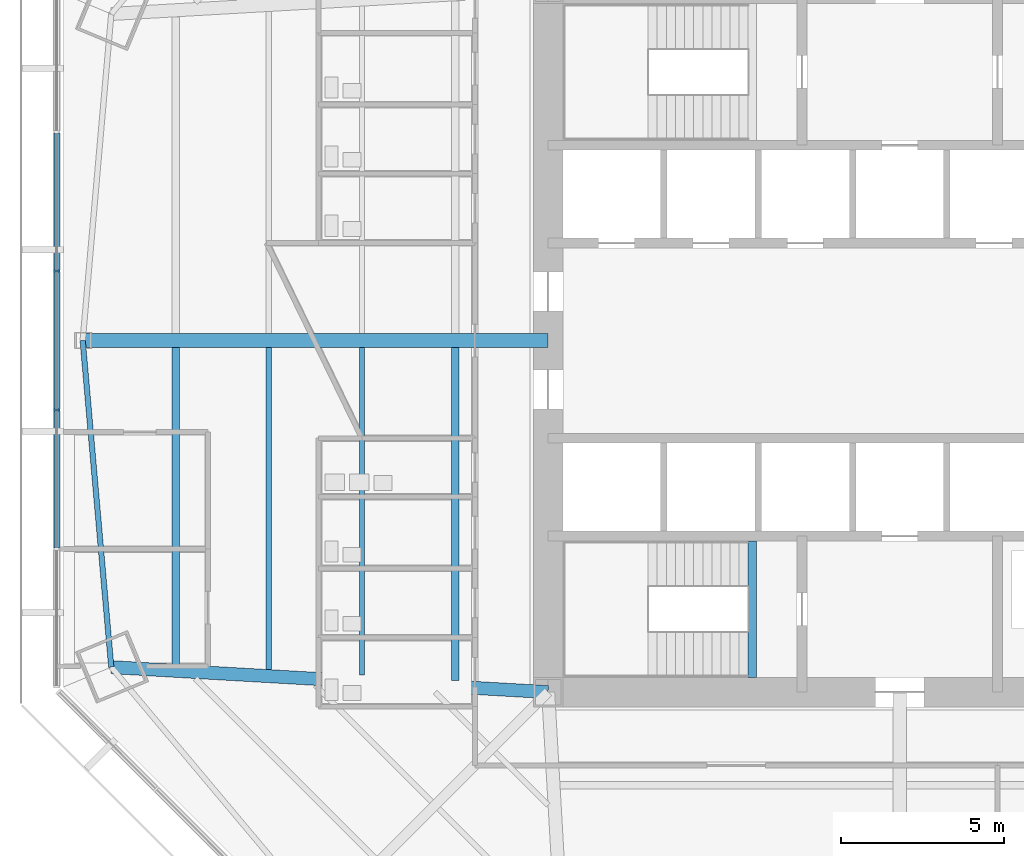
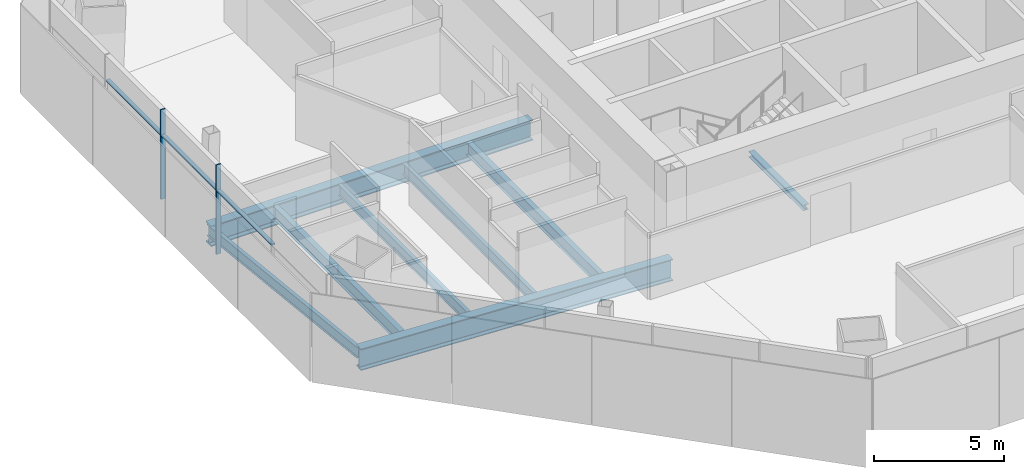
# One storey, part 3 of 15: 8 beams, 5 members, 1 element without a shape of its own.
"""IFC4 building model written with IfcOpenShell, lengths in metres."""

from ifc_helpers import new_model, si_unit, direction, frame, origin, origin_2d, place, context, subcontext, project, spatial, rectangle, i_section, extrude, source, transform, mapped, material, material_profile, profile_set, type_object, type_shapes, element, aggregate, save


model = new_model("IFC4")

# Units and contexts
model_context = context("Model", 3, precision=1e-05, world=origin(), true_north=direction((0.0, 1.0)))
body_context = subcontext(model_context, "Body", "Model", "MODEL_VIEW")
ifc_project = project(units=[si_unit("LENGTHUNIT", "METRE"), si_unit("AREAUNIT", "SQUARE_METRE"), si_unit("VOLUMEUNIT", "CUBIC_METRE"), si_unit("PLANEANGLEUNIT", "RADIAN"), si_unit("MASSUNIT", "GRAM", prefix="KILO")], contexts=[model_context])

# Site, building, storey
site_placement = place(None, origin())
site = spatial("IfcSite", under=ifc_project, at=site_placement, CompositionType="ELEMENT")
building_placement = place(site_placement, origin())
building = spatial("IfcBuilding", under=site, at=building_placement, Name="Mashrafa Tower", CompositionType="ELEMENT")
storey_placement = place(building_placement, frame((0.0, 0.0, 75.0)))
storey = spatial("IfcBuildingStorey", under=building, at=storey_placement, Name="L16", CompositionType="ELEMENT", Elevation=75.0)

# Beams
ifc_material_1 = material(Name="Steel ASTM A992", Category="steel")
ifc_material_profile_1 = material_profile(ifc_material_1, i_section(OverallWidth=0.165771484375, OverallDepth=0.5283203125, WebThickness=0.009765625, FlangeThickness=0.013671875, FilletRadius=0.012939453125, at=origin_2d()), Name="W21X50")
ifc_profile_set_1 = profile_set([ifc_material_profile_1], Name="Steel ASTM A992")
beam_type_1 = type_object("IfcBeamType", Name="Beam W21X50", PredefinedType="BEAM", material=ifc_profile_set_1)
beam_1_placement = place(storey_placement, frame((-19.378662109375, -10.108154296875, -0.42919921875), z_axis=(0.0, 1.0, 0.0), x_axis=(-1.0, 0.0, 0.0)))
element("IfcBeam", 1, at=beam_1_placement, inside=storey, type_object=beam_type_1, Name="Floor beam L16 004", PredefinedType="BEAM", context=body_context, shape_type="SweptSolid", body=[
    extrude(i_section(OverallWidth=0.165771484375, OverallDepth=0.5283203125, WebThickness=0.009765625, FlangeThickness=0.013671875, FilletRadius=0.012939453125, at=origin_2d()), origin(), (0.0, 0.0, 1.0), 9.89599609375),
])
beam_2_placement = place(storey_placement, frame((-16.51904296875, -10.271728515625, -0.42919921875), z_axis=(0.0, 1.0, 0.0), x_axis=(-1.0, 0.0, 0.0)))
element("IfcBeam", 2, at=beam_2_placement, inside=storey, type_object=beam_type_1, Name="Floor beam L16 007", PredefinedType="BEAM", context=body_context, shape_type="SweptSolid", body=[
    extrude(i_section(OverallWidth=0.165771484375, OverallDepth=0.5283203125, WebThickness=0.009765625, FlangeThickness=0.013671875, FilletRadius=0.012939453125, at=origin_2d()), origin(), (0.0, 0.0, 1.0), 10.0595703125),
])
beam_3_placement = place(storey_placement, frame((-25.09765625, 0.0, -0.42919921875), z_axis=(0.087203941419, -0.996190480079, 0.0), x_axis=(0.996190480079, 0.087203941419, 0.0)))
element("IfcBeam", 3, at=beam_3_placement, inside=storey, type_object=beam_type_1, Name="Spandrel beam L16 073", PredefinedType="BEAM", context=body_context, shape_type="SweptSolid", body=[
    extrude(i_section(OverallWidth=0.165771484375, OverallDepth=0.5283203125, WebThickness=0.009765625, FlangeThickness=0.013671875, FilletRadius=0.012939453125, at=origin_2d()), origin(), (0.0, 0.0, 1.0), 10.0703125),
])
ifc_material_2 = material(Name="Steel ASTM A992", Category="steel")
ifc_material_profile_2 = material_profile(ifc_material_2, i_section(OverallWidth=0.227783203125, OverallDepth=0.60205078125, WebThickness=0.010498046875, FlangeThickness=0.014892578125, FilletRadius=0.012939453125, at=origin_2d()), Name="W24X68")
ifc_profile_set_2 = profile_set([ifc_material_profile_2], Name="Steel ASTM A992")
beam_type_2 = type_object("IfcBeamType", Name="Beam W24X68", PredefinedType="BEAM", material=ifc_profile_set_2)
beam_4_placement = place(storey_placement, frame((-22.23828125, -9.944580078125, -0.466064453125), z_axis=(0.0, 1.0, 0.0), x_axis=(-1.0, 0.0, 0.0)))
element("IfcBeam", 4, at=beam_4_placement, inside=storey, type_object=beam_type_2, Name="Floor beam L16 001", PredefinedType="BEAM", context=body_context, shape_type="SweptSolid", body=[
    extrude(i_section(OverallWidth=0.227783203125, OverallDepth=0.60205078125, WebThickness=0.010498046875, FlangeThickness=0.014892578125, FilletRadius=0.012939453125, at=origin_2d()), origin(), (0.0, 0.0, 1.0), 9.732421875),
])
beam_5_placement = place(storey_placement, frame((-13.659423828125, -10.435302734375, -0.466064453125), z_axis=(0.0, 1.0, 0.0), x_axis=(-1.0, 0.0, 0.0)))
element("IfcBeam", 5, at=beam_5_placement, inside=storey, type_object=beam_type_2, Name="Floor beam L16 014", PredefinedType="BEAM", context=body_context, shape_type="SweptSolid", body=[
    extrude(i_section(OverallWidth=0.227783203125, OverallDepth=0.60205078125, WebThickness=0.010498046875, FlangeThickness=0.014892578125, FilletRadius=0.012939453125, at=origin_2d()), origin(), (0.0, 0.0, 1.0), 10.22314453125),
])
ifc_material_3 = material(Name="Steel ASTM A992", Category="steel")
ifc_material_profile_3 = material_profile(ifc_material_3, i_section(OverallWidth=0.424072265625, OverallDepth=0.960205078125, WebThickness=0.028564453125, FlangeThickness=0.051025390625, FilletRadius=0.02001953125, at=origin_2d()), Name="W36X361")
ifc_profile_set_3 = profile_set([ifc_material_profile_3], Name="Steel ASTM A992")
beam_type_3 = type_object("IfcBeamType", Name="Beam W36X361", PredefinedType="BEAM", material=ifc_profile_set_3)
beam_6_placement = place(storey_placement, frame((-10.800048828125, 0.0, -0.64501953125), z_axis=(-1.0, 0.0, 0.0), x_axis=(0.0, -1.0, 0.0)))
element("IfcBeam", 6, at=beam_6_placement, inside=storey, type_object=beam_type_3, Name="Radial girder L16 060", PredefinedType="BEAM", context=body_context, shape_type="SweptSolid", body=[
    extrude(i_section(OverallWidth=0.424072265625, OverallDepth=0.960205078125, WebThickness=0.028564453125, FlangeThickness=0.051025390625, FilletRadius=0.02001953125, at=origin_2d()), origin(), (0.0, 0.0, 1.0), 14.297607421875),
])
ifc_material_4 = material(Name="Steel ASTM A992", Category="steel")
ifc_material_profile_4 = material_profile(ifc_material_4, i_section(OverallWidth=0.4013671875, OverallDepth=1.010986328125, WebThickness=0.023681640625, FlangeThickness=0.0419921875, FilletRadius=0.02001953125, at=origin_2d()), Name="W40X297")
ifc_profile_set_4 = profile_set([ifc_material_profile_4], Name="Steel ASTM A992")
beam_type_4 = type_object("IfcBeamType", Name="Beam W40X297", PredefinedType="BEAM", material=ifc_profile_set_4)
beam_7_placement = place(storey_placement, frame((-10.800048828125, -10.800048828125, -0.67041015625), z_axis=(-0.99836606887, 0.0571418632, 0.0), x_axis=(-0.0571418632, -0.99836606887, 0.0)))
element("IfcBeam", 7, at=beam_7_placement, inside=storey, type_object=beam_type_4, Name="Radial girder L16 057", PredefinedType="BEAM", context=body_context, shape_type="SweptSolid", body=[
    extrude(i_section(OverallWidth=0.4013671875, OverallDepth=1.010986328125, WebThickness=0.023681640625, FlangeThickness=0.0419921875, FilletRadius=0.02001953125, at=origin_2d()), origin(), (0.0, 0.0, 1.0), 13.44140625),
])
ifc_material_5 = material(Name="Steel ASTM A992", Category="steel")
ifc_material_profile_5 = material_profile(ifc_material_5, i_section(OverallWidth=0.25390625, OverallDepth=0.25390625, WebThickness=0.008544921875, FlangeThickness=0.01416015625, FilletRadius=0.010009765625, at=origin_2d()), Name="W10X49")
ifc_profile_set_5 = profile_set([ifc_material_profile_5], Name="Steel ASTM A992")
beam_type_5 = type_object("IfcBeamType", Name="Hoistway beam W10X49", PredefinedType="BEAM", material=ifc_profile_set_5)
beam_8_placement = place(storey_placement, frame((-4.530029296875, -10.35009765625, -0.326904296875), z_axis=(0.0, 1.0, 0.0), x_axis=(-1.0, 0.0, 0.0)))
element("IfcBeam", 8, at=beam_8_placement, inside=storey, type_object=beam_type_5, Name="Stair S3 landing beam L16", PredefinedType="BEAM", context=body_context, shape_type="SweptSolid", body=[
    extrude(i_section(OverallWidth=0.25390625, OverallDepth=0.25390625, WebThickness=0.008544921875, FlangeThickness=0.01416015625, FilletRadius=0.010009765625, at=origin_2d()), origin(), (0.0, 0.0, 1.0), 4.2001953125),
])

# Curtain wall, members
ifc_material_6 = material(Name="Unitised aluminium curtain wall", Category="aluminium")
curtain_wall_type = type_object("IfcCurtainWallType", Name="Office curtain wall, zone 1 CW-A 200 deep", PredefinedType="NOTDEFINED", material=ifc_material_6)
curtain_wall_placement = place(storey_placement, origin())
curtain_wall = element("IfcCurtainWall", 9, at=curtain_wall_placement, inside=storey, type_object=curtain_wall_type, Name="Office curtain wall, zone 1 L16 west", PredefinedType="NOTDEFINED")
ifc_material_7 = material(Name="Extruded aluminium mullion", Category="aluminium")
ifc_material_profile_6 = material_profile(ifc_material_7, rectangle(XDim=0.199951171875, YDim=0.06494140625, at=origin_2d()), Name="Mullion 65x200")
ifc_profile_set_6 = profile_set([ifc_material_profile_6], Name="Extruded aluminium mullion")
member_type_1 = type_object("IfcMemberType", Name="Mullion CW-A 65 x 200", PredefinedType="MULLION", material=ifc_profile_set_6)
shared_shape_1 = source(origin(), body_context, "Body", "SweptSolid", [
    extrude(rectangle(XDim=0.199951171875, YDim=0.06494140625, at=origin_2d()), origin(), (0.0, 0.0, 1.0), 4.199951171875),
])
type_shapes(member_type_1, [shared_shape_1])
member_1_placement = place(storey_placement, frame((-25.89306640625, 2.134765625, 0.0), z_axis=(0.0, 0.0, 1.0), x_axis=(1.0, 0.0, 0.0)))
member_1 = element("IfcMember", 10, at=member_1_placement, type_object=member_type_1, Name="CW-A mullion 3", PredefinedType="MULLION", context=body_context, shape_type="MappedRepresentation", body=[
    mapped(shared_shape_1, transform((0.0, 0.0, 0.0))),
])
member_2_placement = place(storey_placement, frame((-25.89306640625, -2.134765625, 0.0), z_axis=(0.0, 0.0, 1.0), x_axis=(1.0, 0.0, 0.0)))
member_2 = element("IfcMember", 11, at=member_2_placement, type_object=member_type_1, Name="CW-A mullion 4", PredefinedType="MULLION", context=body_context, shape_type="MappedRepresentation", body=[
    mapped(shared_shape_1, transform((0.0, 0.0, 0.0))),
])
ifc_material_8 = material(Name="Extruded aluminium transom", Category="aluminium")
ifc_material_profile_7 = material_profile(ifc_material_8, rectangle(XDim=0.159912109375, YDim=0.080078125, at=origin_2d()), Name="Transom 80x160")
ifc_profile_set_7 = profile_set([ifc_material_profile_7], Name="Extruded aluminium transom")
member_type_2 = type_object("IfcMemberType", Name="Transom CW-A 80 x 160", PredefinedType="MULLION", material=ifc_profile_set_7)
shared_shape_2 = source(origin(), body_context, "Body", "SweptSolid", [
    extrude(rectangle(XDim=0.159912109375, YDim=0.080078125, at=origin_2d()), origin(), (0.0, 0.0, 1.0), 4.20458984375),
])
type_shapes(member_type_2, [shared_shape_2])
member_3_placement = place(storey_placement, frame((-25.89306640625, 6.371826171875, 3.0), z_axis=(0.0, -1.0, 0.0), x_axis=(1.0, 0.0, 0.0)))
member_3 = element("IfcMember", 12, at=member_3_placement, type_object=member_type_2, Name="CW-A transom 2", PredefinedType="MULLION", context=body_context, shape_type="MappedRepresentation", body=[
    mapped(shared_shape_2, transform((0.0, 0.0, 0.0))),
])
member_4_placement = place(storey_placement, frame((-25.89306640625, 2.102294921875, 3.0), z_axis=(0.0, -1.0, 0.0), x_axis=(1.0, 0.0, 0.0)))
member_4 = element("IfcMember", 13, at=member_4_placement, type_object=member_type_2, Name="CW-A transom 3", PredefinedType="MULLION", context=body_context, shape_type="MappedRepresentation", body=[
    mapped(shared_shape_2, transform((0.0, 0.0, 0.0))),
])
member_5_placement = place(storey_placement, frame((-25.89306640625, -2.167236328125, 3.0), z_axis=(0.0, -1.0, 0.0), x_axis=(1.0, 0.0, 0.0)))
member_5 = element("IfcMember", 14, at=member_5_placement, type_object=member_type_2, Name="CW-A transom 4", PredefinedType="MULLION", context=body_context, shape_type="MappedRepresentation", body=[
    mapped(shared_shape_2, transform((0.0, 0.0, 0.0))),
])
aggregate(curtain_wall, [member_1, member_2, member_3, member_4, member_5])

save(model, "model.ifc")
